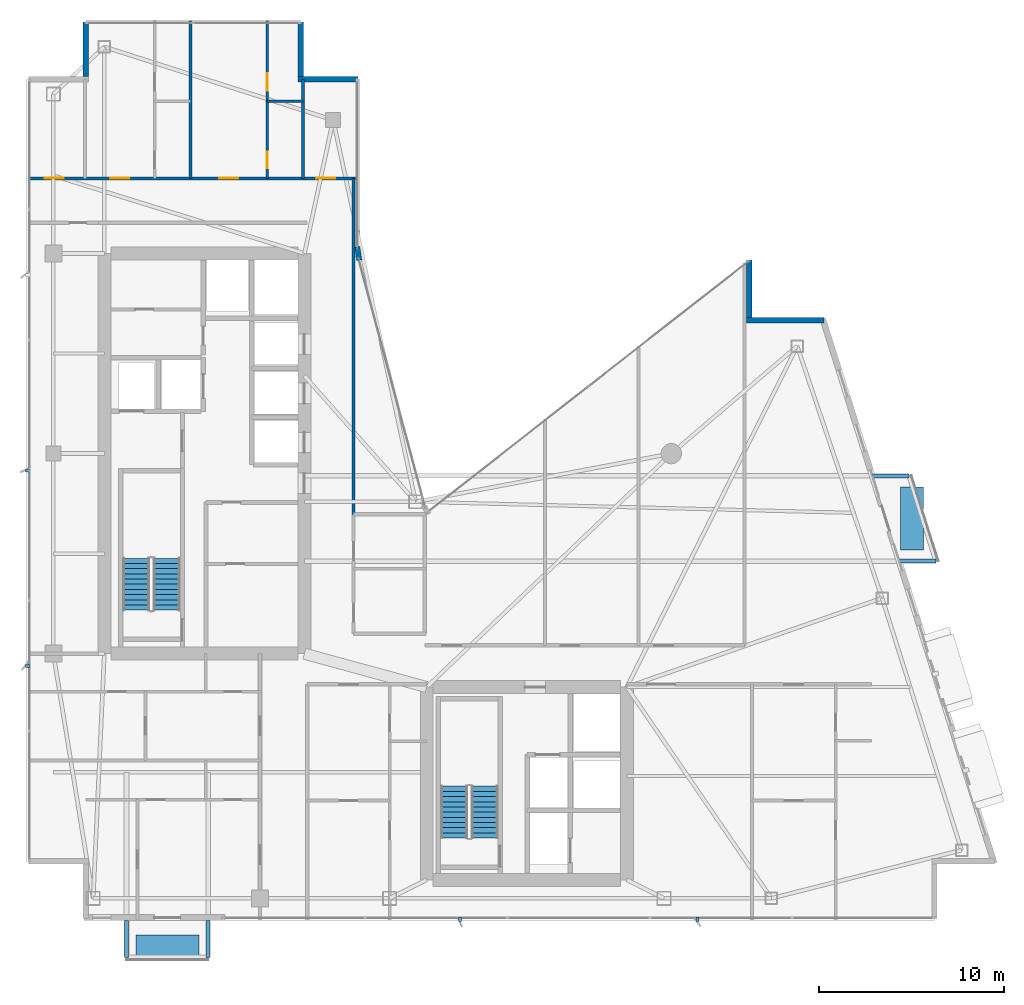
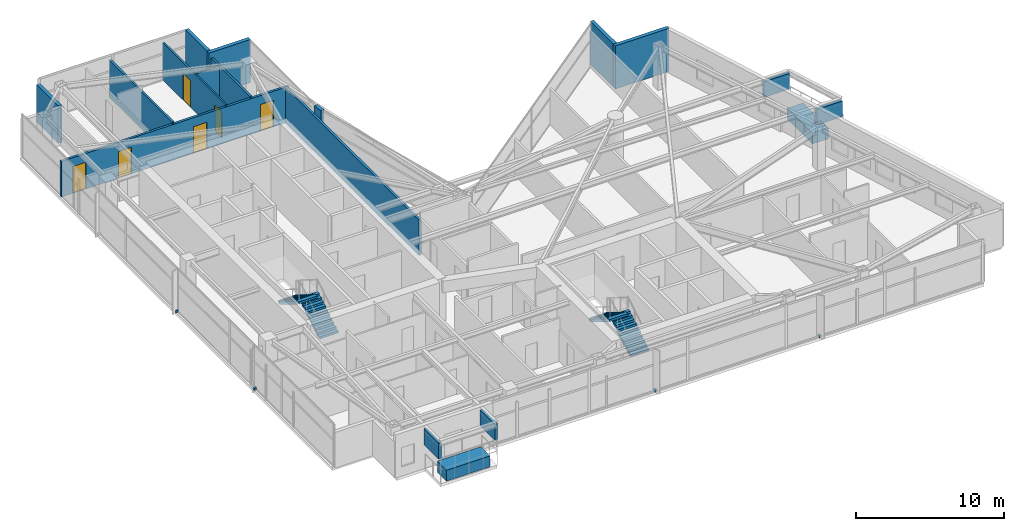
# One storey, part 27 of 30: 12 walls, 10 discrete accessories, 6 doors, 4 stair flights, 6 openings, 2 elements without a shape of their own.
"""IFC4 building model written with IfcOpenShell, lengths in metres."""

from ifc_helpers import new_model, si_unit, direction, frame, frame_2d, origin, origin_2d, place, context, subcontext, project, spatial, polyline, rectangle, outline, extrude, material, layer, layer_set, type_object, element, fill, aggregate, save


model = new_model("IFC4")

# Units and contexts
model_context = context("Model", 3, precision=1e-05, world=origin(), true_north=direction((0.0, 1.0)))
body_context = subcontext(model_context, "Body", "Model", "MODEL_VIEW")
ifc_project = project(units=[si_unit("LENGTHUNIT", "METRE"), si_unit("AREAUNIT", "SQUARE_METRE"), si_unit("VOLUMEUNIT", "CUBIC_METRE"), si_unit("PLANEANGLEUNIT", "RADIAN"), si_unit("MASSUNIT", "GRAM", prefix="KILO")], contexts=[model_context])

# Site, building, storey
site_placement = place(None, origin())
site = spatial("IfcSite", under=ifc_project, at=site_placement, CompositionType="ELEMENT")
building_placement = place(site_placement, origin())
building = spatial("IfcBuilding", under=site, at=building_placement, Name="Calvorn Quay Hotel", CompositionType="ELEMENT")
storey_placement = place(building_placement, frame((0.0, 0.0, 207.199951171875)))
storey = spatial("IfcBuildingStorey", under=building, at=storey_placement, Name="L51", CompositionType="ELEMENT", Elevation=207.199951171875)

# Wall, openings, doors
ifc_material_1 = material(Name="Acoustic Fireboard Steel-Stud Partition", Category="steel")
ifc_layer_1 = layer(ifc_material_1, 0.179931640625)
ifc_layer_set_1 = layer_set([ifc_layer_1], Name="WL-CORR-FIRE-180")
wall_type_1 = type_object("IfcWallType", Name="WL-CORR-FIRE-180", PredefinedType="PARTITIONING", material=ifc_layer_set_1)
wall_1_placement = place(storey_placement, frame((0.080078125, 42.449951171875, 0.0), z_axis=(0.0, 0.0, 1.0), x_axis=(1.0, 0.0, 0.0)))
wall_1 = element("IfcWall", 1, at=wall_1_placement, inside=storey, type_object=wall_type_1, Name="Partition Wall L51-WL-CORR-NW-N", PredefinedType="PARTITIONING", context=body_context, shape_type="SweptSolid", body=[
    extrude(rectangle(XDim=17.77001953125, YDim=0.179931640625, at=frame_2d((8.885009765625, 0.0))), origin(), (0.0, 0.0, 1.0), 2.93994140625),
])
opening_1_placement = place(wall_1_placement, frame((0.89990234375, 0.0, 0.0)))
opening_1 = element("IfcOpeningElement", 2, at=opening_1_placement, cuts=wall_1, Name="Opening D-L51-NWW", PredefinedType="OPENING", context=body_context, shape_type="SweptSolid", body=[
    extrude(rectangle(XDim=1.02001953125, YDim=2.199951171875, at=frame_2d((0.510009765625, 1.10009765625))), frame((0.0, 0.099853515625, 0.0), z_axis=(0.0, -1.0, 0.0), x_axis=(1.0, 0.0, 0.0)), (0.0, 0.0, 1.0), 0.199951171875),
])
opening_2_placement = place(wall_1_placement, frame((4.449951171875, 0.0, 0.0)))
opening_2 = element("IfcOpeningElement", 3, at=opening_2_placement, cuts=wall_1, Name="Opening D-L51-U04", PredefinedType="OPENING", context=body_context, shape_type="SweptSolid", body=[
    extrude(rectangle(XDim=1.02001953125, YDim=2.199951171875, at=frame_2d((0.510009765625, 1.10009765625))), frame((0.0, 0.099853515625, 0.0), z_axis=(0.0, -1.0, 0.0), x_axis=(1.0, 0.0, 0.0)), (0.0, 0.0, 1.0), 0.199951171875),
])
opening_3_placement = place(wall_1_placement, frame((10.330078125, 0.0, 0.0)))
opening_3 = element("IfcOpeningElement", 4, at=opening_3_placement, cuts=wall_1, Name="Opening D-L51-U05", PredefinedType="OPENING", context=body_context, shape_type="SweptSolid", body=[
    extrude(rectangle(XDim=1.02001953125, YDim=2.199951171875, at=frame_2d((0.510009765625, 1.10009765625))), frame((0.0, 0.099853515625, 0.0), z_axis=(0.0, -1.0, 0.0), x_axis=(1.0, 0.0, 0.0)), (0.0, 0.0, 1.0), 0.199951171875),
])
opening_4_placement = place(wall_1_placement, frame((15.550048828125, 0.0, 0.0)))
opening_4 = element("IfcOpeningElement", 5, at=opening_4_placement, cuts=wall_1, Name="Opening D-L51-NWE", PredefinedType="OPENING", context=body_context, shape_type="SweptSolid", body=[
    extrude(rectangle(XDim=1.02001953125, YDim=2.199951171875, at=frame_2d((0.510009765625, 1.10009765625))), frame((0.0, 0.099853515625, 0.0), z_axis=(0.0, -1.0, 0.0), x_axis=(1.0, 0.0, 0.0)), (0.0, 0.0, 1.0), 0.199951171875),
])
ifc_material_2 = material(Name="Solid-Core Walnut Veneer Hotel Fire Door")
door_type_1 = type_object("IfcDoorType", Name="DR-GUEST-ENTRY-1020", OperationType="NOTDEFINED", PredefinedType="DOOR", material=ifc_material_2)
door_1_placement = place(opening_1_placement, origin())
door_1 = element("IfcDoor", 6, at=door_1_placement, inside=storey, type_object=door_type_1, Name="West Corner Study Door (L51)", OperationType="SINGLE_SWING_LEFT", OverallHeight=2.199951171875, OverallWidth=1.02001953125, PredefinedType="DOOR", context=body_context, shape_type="SweptSolid", body=[
    extrude(rectangle(XDim=1.02001953125, YDim=2.199951171875, at=frame_2d((0.510009765625, 1.10009765625))), frame((0.0, 0.02490234375, 0.0), z_axis=(0.0, -1.0, 0.0), x_axis=(1.0, 0.0, 0.0)), (0.0, 0.0, 1.0), 0.050048828125),
])
fill(opening_1, door_1)
door_2_placement = place(opening_2_placement, origin())
door_2 = element("IfcDoor", 7, at=door_2_placement, inside=storey, type_object=door_type_1, Name="North-West Unit Door U04 (L51)", OperationType="SINGLE_SWING_RIGHT", OverallHeight=2.199951171875, OverallWidth=1.02001953125, PredefinedType="DOOR", context=body_context, shape_type="SweptSolid", body=[
    extrude(rectangle(XDim=1.02001953125, YDim=2.199951171875, at=frame_2d((0.510009765625, 1.10009765625))), frame((0.0, 0.02490234375, 0.0), z_axis=(0.0, -1.0, 0.0), x_axis=(1.0, 0.0, 0.0)), (0.0, 0.0, 1.0), 0.050048828125),
])
fill(opening_2, door_2)
door_3_placement = place(opening_3_placement, origin())
door_3 = element("IfcDoor", 8, at=door_3_placement, inside=storey, type_object=door_type_1, Name="North-West Unit Door U05 (L51)", OperationType="SINGLE_SWING_LEFT", OverallHeight=2.199951171875, OverallWidth=1.02001953125, PredefinedType="DOOR", context=body_context, shape_type="SweptSolid", body=[
    extrude(rectangle(XDim=1.02001953125, YDim=2.199951171875, at=frame_2d((0.510009765625, 1.10009765625))), frame((0.0, 0.02490234375, 0.0), z_axis=(0.0, -1.0, 0.0), x_axis=(1.0, 0.0, 0.0)), (0.0, 0.0, 1.0), 0.050048828125),
])
fill(opening_3, door_3)
door_4_placement = place(opening_4_placement, origin())
door_4 = element("IfcDoor", 9, at=door_4_placement, inside=storey, type_object=door_type_1, Name="Inner Court Study Door (L51)", OperationType="SINGLE_SWING_RIGHT", OverallHeight=2.199951171875, OverallWidth=1.02001953125, PredefinedType="DOOR", context=body_context, shape_type="SweptSolid", body=[
    extrude(rectangle(XDim=1.02001953125, YDim=2.199951171875, at=frame_2d((0.510009765625, 1.10009765625))), frame((0.0, 0.02490234375, 0.0), z_axis=(0.0, -1.0, 0.0), x_axis=(1.0, 0.0, 0.0)), (0.0, 0.0, 1.0), 0.050048828125),
])
fill(opening_4, door_4)

# Walls
wall_2_placement = place(storey_placement, frame((17.64990234375, 24.300048828125, 0.0), z_axis=(0.0, 0.0, 1.0), x_axis=(0.0, 1.0, 0.0)))
element("IfcWall", 10, at=wall_2_placement, inside=storey, type_object=wall_type_1, Name="Partition Wall L51-WL-NW-CLOSURE-E", PredefinedType="PARTITIONING", context=body_context, shape_type="SweptSolid", body=[
    extrude(rectangle(XDim=18.14990234375, YDim=0.179931640625, at=frame_2d((9.074951171875, 0.0))), origin(), (0.0, 0.0, 1.0), 2.93994140625),
])
ifc_material_3 = material(Name="Moisture-Resistant Tile-Backed Partition")
ifc_layer_2 = layer(ifc_material_3, 0.125)
ifc_layer_set_2 = layer_set([ifc_layer_2], Name="WL-ENSUITE-125")
wall_type_2 = type_object("IfcWallType", Name="WL-ENSUITE-125", PredefinedType="PARTITIONING", material=ifc_layer_set_2)
wall_3_placement = place(storey_placement, frame((12.989990234375, 46.6201171875, 0.0), z_axis=(0.0, 0.0, 1.0), x_axis=(1.0, 0.0, 0.0)))
element("IfcWall", 11, at=wall_3_placement, inside=storey, type_object=wall_type_2, Name="Partition Wall L51-WL-U05-BDV", PredefinedType="PARTITIONING", context=body_context, shape_type="SweptSolid", body=[
    extrude(rectangle(XDim=1.929931640625, YDim=0.125, at=frame_2d((0.96484375, 0.0))), origin(), (0.0, 0.0, 1.0), 3.090087890625),
])

# Wall, openings, doors
wall_4_placement = place(storey_placement, frame((12.989990234375, 42.449951171875, 0.0), z_axis=(0.0, 0.0, 1.0), x_axis=(0.0, 1.0, 0.0)))
wall_4 = element("IfcWall", 12, at=wall_4_placement, inside=storey, type_object=wall_type_2, Name="Partition Wall L51-WL-U05-BV", PredefinedType="PARTITIONING", context=body_context, shape_type="SweptSolid", body=[
    extrude(rectangle(XDim=8.489990234375, YDim=0.125, at=frame_2d((4.2451171875, 0.0))), origin(), (0.0, 0.0, 1.0), 3.090087890625),
])
opening_5_placement = place(wall_4_placement, frame((0.550048828125, 0.0, 0.0)))
opening_5 = element("IfcOpeningElement", 13, at=opening_5_placement, cuts=wall_4, Name="Opening D-L51-E05", PredefinedType="OPENING", context=body_context, shape_type="SweptSolid", body=[
    extrude(rectangle(XDim=0.89990234375, YDim=2.14990234375, at=frame_2d((0.449951171875, 1.074951171875))), frame((0.0, 0.072509765625, 0.0), z_axis=(0.0, -1.0, 0.0), x_axis=(1.0, 0.0, 0.0)), (0.0, 0.0, 1.0), 0.14501953125),
])
opening_6_placement = place(wall_4_placement, frame((4.719970703125, 0.0, 0.0)))
opening_6 = element("IfcOpeningElement", 14, at=opening_6_placement, cuts=wall_4, Name="Opening D-L51-S05", PredefinedType="OPENING", context=body_context, shape_type="SweptSolid", body=[
    extrude(rectangle(XDim=0.9599609375, YDim=2.199951171875, at=frame_2d((0.47998046875, 1.10009765625))), frame((0.0, 0.072509765625, 0.0), z_axis=(0.0, -1.0, 0.0), x_axis=(1.0, 0.0, 0.0)), (0.0, 0.0, 1.0), 0.14501953125),
])
ifc_material_4 = material(Name="Moisture-Sealed Timber En-Suite Door", Category="wood")
door_type_2 = type_object("IfcDoorType", Name="DR-ENSUITE-900", OperationType="NOTDEFINED", PredefinedType="DOOR", material=ifc_material_4)
door_5_placement = place(opening_5_placement, origin())
door_5 = element("IfcDoor", 15, at=door_5_placement, inside=storey, type_object=door_type_2, Name="En-Suite Door 05", OperationType="SINGLE_SWING_LEFT", OverallHeight=2.14990234375, OverallWidth=0.89990234375, PredefinedType="DOOR", context=body_context, shape_type="SweptSolid", body=[
    extrude(rectangle(XDim=0.89990234375, YDim=2.14990234375, at=frame_2d((0.449951171875, 1.074951171875))), frame((0.0, 0.02490234375, 0.0), z_axis=(0.0, -1.0, 0.0), x_axis=(1.0, 0.0, 0.0)), (0.0, 0.0, 1.0), 0.050048828125),
])
fill(opening_5, door_5)
ifc_material_5 = material(Name="Solid Timber Internal Suite Door", Category="wood")
door_type_3 = type_object("IfcDoorType", Name="DR-SUITE-INT-960", OperationType="NOTDEFINED", PredefinedType="DOOR", material=ifc_material_5)
door_6_placement = place(opening_6_placement, origin())
door_6 = element("IfcDoor", 16, at=door_6_placement, inside=storey, type_object=door_type_3, Name="Harbour Tea Room Door 05", OperationType="SINGLE_SWING_RIGHT", OverallHeight=2.199951171875, OverallWidth=0.9599609375, PredefinedType="DOOR", context=body_context, shape_type="SweptSolid", body=[
    extrude(rectangle(XDim=0.9599609375, YDim=2.199951171875, at=frame_2d((0.47998046875, 1.10009765625))), frame((0.0, 0.02490234375, 0.0), z_axis=(0.0, -1.0, 0.0), x_axis=(1.0, 0.0, 0.0)), (0.0, 0.0, 1.0), 0.050048828125),
])
fill(opening_6, door_6)

# Walls
ifc_material_6 = material(Name="Concrete C40", Category="concrete")
ifc_layer_3 = layer(ifc_material_6, 0.320068359375)
ifc_layer_set_3 = layer_set([ifc_layer_3], Name="WL-EXT-SPANDREL-320")
wall_type_3 = type_object("IfcWallType", Name="WL-EXT-SPANDREL-320", PredefinedType="SOLIDWALL", material=ifc_layer_set_3)
wall_5_placement = place(storey_placement, frame((17.9619140625, 38.030029296875, 0.0), z_axis=(0.0, 0.0, 1.0), x_axis=(-0.15141125477, 0.988470855377, 0.0)))
element("IfcWall", 17, at=wall_5_placement, inside=storey, type_object=wall_type_3, Name="Inner Court Corner Pier L51-ICJ2", PredefinedType="SOLIDWALL", context=body_context, shape_type="SweptSolid", body=[
    extrude(rectangle(XDim=0.738525390625, YDim=0.280029296875, at=frame_2d((0.369140625, 0.0))), origin(), (0.0, 0.0, 1.0), 3.56005859375),
])
wall_6_placement = place(storey_placement, frame((43.0400390625, 34.800048828125, 0.0), z_axis=(0.0, 0.0, 1.0), x_axis=(-1.0, 0.0, 0.0)))
element("IfcWall", 18, at=wall_6_placement, inside=storey, type_object=wall_type_3, Name="Notched Corner Spandrel L51-NE1", PredefinedType="SOLIDWALL", context=body_context, shape_type="SweptSolid", body=[
    extrude(rectangle(XDim=4.179931640625, YDim=0.280029296875, at=frame_2d((2.08984375, 0.0))), origin(), (0.0, 0.0, 1.0), 3.56005859375),
])
wall_7_placement = place(storey_placement, frame((39.0, 34.93994140625, 0.0), z_axis=(0.0, 0.0, 1.0), x_axis=(0.0, 1.0, 0.0)))
element("IfcWall", 19, at=wall_7_placement, inside=storey, type_object=wall_type_3, Name="Notched Corner Spandrel L51-NE2", PredefinedType="SOLIDWALL", context=body_context, shape_type="SweptSolid", body=[
    extrude(rectangle(XDim=3.10009765625, YDim=0.280029296875, at=frame_2d((1.550048828125, 0.0))), origin(), (0.0, 0.0, 1.0), 3.56005859375),
])
wall_8_placement = place(storey_placement, frame((17.89990234375, 47.800048828125, 0.0), z_axis=(0.0, 0.0, 1.0), x_axis=(-1.0, 0.0, 0.0)))
element("IfcWall", 20, at=wall_8_placement, inside=storey, type_object=wall_type_3, Name="Notched Corner Spandrel L51-NWE1", PredefinedType="SOLIDWALL", context=body_context, shape_type="SweptSolid", body=[
    extrude(rectangle(XDim=3.239990234375, YDim=0.280029296875, at=frame_2d((1.6201171875, 0.0))), origin(), (0.0, 0.0, 1.0), 3.56005859375),
])
wall_9_placement = place(storey_placement, frame((14.800048828125, 47.93994140625, 0.0), z_axis=(0.0, 0.0, 1.0), x_axis=(0.0, 1.0, 0.0)))
element("IfcWall", 21, at=wall_9_placement, inside=storey, type_object=wall_type_3, Name="Notched Corner Spandrel L51-NWE2", PredefinedType="SOLIDWALL", context=body_context, shape_type="SweptSolid", body=[
    extrude(rectangle(XDim=2.93994140625, YDim=0.280029296875, at=frame_2d((1.469970703125, 0.0))), origin(), (0.0, 0.0, 1.0), 3.56005859375),
])
wall_10_placement = place(storey_placement, frame((3.199951171875, 50.8798828125, 0.0), z_axis=(0.0, 0.0, 1.0), x_axis=(0.0, -1.0, 0.0)))
element("IfcWall", 22, at=wall_10_placement, inside=storey, type_object=wall_type_3, Name="Notched Corner Spandrel L51-NW1", PredefinedType="SOLIDWALL", context=body_context, shape_type="SweptSolid", body=[
    extrude(rectangle(XDim=2.93994140625, YDim=0.280029296875, at=frame_2d((1.469970703125, 0.0))), origin(), (0.0, 0.0, 1.0), 3.090087890625),
])
ifc_material_7 = material(Name="Double-Stud Acoustic Gypsum Partition")
ifc_layer_4 = layer(ifc_material_7, 0.159912109375)
ifc_layer_set_4 = layer_set([ifc_layer_4], Name="WL-INTERSUITE-160")
wall_type_4 = type_object("IfcWallType", Name="WL-INTERSUITE-160", PredefinedType="PARTITIONING", material=ifc_layer_set_4)
wall_11_placement = place(storey_placement, frame((14.919921875, 42.449951171875, 0.0), z_axis=(0.0, 0.0, 1.0), x_axis=(0.0, 1.0, 0.0)))
element("IfcWall", 23, at=wall_11_placement, inside=storey, type_object=wall_type_4, Name="Partition Wall L51-WL-NW-DIV-E0", PredefinedType="PARTITIONING", context=body_context, shape_type="SweptSolid", body=[
    extrude(rectangle(XDim=5.35009765625, YDim=0.159912109375, at=frame_2d((2.675048828125, 0.0))), origin(), (0.0, 0.0, 1.0), 3.090087890625),
])
wall_12_placement = place(storey_placement, frame((8.85009765625, 42.449951171875, 0.0), z_axis=(0.0, 0.0, 1.0), x_axis=(0.0, 1.0, 0.0)))
element("IfcWall", 24, at=wall_12_placement, inside=storey, type_object=wall_type_4, Name="Partition Wall L51-WL-NW-DIV-1", PredefinedType="PARTITIONING", context=body_context, shape_type="SweptSolid", body=[
    extrude(rectangle(XDim=8.489990234375, YDim=0.159912109375, at=frame_2d((4.2451171875, 0.0))), origin(), (0.0, 0.0, 1.0), 3.090087890625),
])

# Stair, stair flights
ifc_material_8 = material(Name="Concrete C40", Category="concrete")
stair_type = type_object("IfcStairType", Name="STR-CORE-DOGLEG", PredefinedType="HALF_TURN_STAIR", material=ifc_material_8)
stair_1_placement = place(storey_placement, origin())
stair_1 = element("IfcStair", 25, at=stair_1_placement, inside=storey, type_object=stair_type, Name="L51 ST-W", PredefinedType="HALF_TURN_STAIR")
ifc_material_9 = material(Name="Concrete C40", Category="concrete")
stair_flight_type = type_object("IfcStairFlightType", Name="FLT-CORE-1550", PredefinedType="STRAIGHT", material=ifc_material_9)
stair_flight_1_placement = place(storey_placement, frame((7.574951171875, 19.14990234375, 0.0), z_axis=(0.0, 0.0, 1.0), x_axis=(0.0, 1.0, 0.0)))
stair_flight_1 = element("IfcStairFlight", 26, at=stair_flight_1_placement, type_object=stair_flight_type, Name="ST-W flight 1", NumberOfRisers=11, NumberOfTreads=10, PredefinedType="STRAIGHT", RiserHeight=0.172727273, TreadLength=0.28, context=body_context, shape_type="SweptSolid", body=[
    extrude(outline(polyline([(0.0, 0.0), (0.0, 0.172607421875), (0.280029296875, 0.172607421875), (0.280029296875, 0.345458984375), (0.56005859375, 0.345458984375), (0.56005859375, 0.51806640625), (0.840087890625, 0.51806640625), (0.840087890625, 0.69091796875), (1.1201171875, 0.69091796875), (1.1201171875, 0.863525390625), (1.39990234375, 0.863525390625), (1.39990234375, 1.036376953125), (1.679931640625, 1.036376953125), (1.679931640625, 1.208984375), (1.9599609375, 1.208984375), (1.9599609375, 1.3818359375), (2.239990234375, 1.3818359375), (2.239990234375, 1.554443359375), (2.52001953125, 1.554443359375), (2.52001953125, 1.727294921875), (2.800048828125, 1.727294921875), (2.800048828125, 1.89990234375), (2.800048828125, 1.551025390625), (0.285400390625, 0.0), (0.0, 0.0)])), frame((0.0, 0.72509765625, 0.0), z_axis=(0.0, -1.0, 0.0), x_axis=(1.0, 0.0, 0.0)), (0.0, 0.0, 1.0), 1.449951171875),
])
stair_flight_2_placement = place(storey_placement, frame((5.925048828125, 21.949951171875, 1.900146484375), z_axis=(0.0, 0.0, 1.0), x_axis=(0.0, -1.0, 0.0)))
stair_flight_2 = element("IfcStairFlight", 27, at=stair_flight_2_placement, type_object=stair_flight_type, Name="ST-W flight 2", NumberOfRisers=11, NumberOfTreads=10, PredefinedType="STRAIGHT", RiserHeight=0.172727273, TreadLength=0.28, context=body_context, shape_type="SweptSolid", body=[
    extrude(outline(polyline([(0.0, 0.0), (0.0, 0.172607421875), (0.280029296875, 0.172607421875), (0.280029296875, 0.345458984375), (0.56005859375, 0.345458984375), (0.56005859375, 0.51806640625), (0.840087890625, 0.51806640625), (0.840087890625, 0.69091796875), (1.1201171875, 0.69091796875), (1.1201171875, 0.863525390625), (1.39990234375, 0.863525390625), (1.39990234375, 1.036376953125), (1.679931640625, 1.036376953125), (1.679931640625, 1.208984375), (1.9599609375, 1.208984375), (1.9599609375, 1.3818359375), (2.239990234375, 1.3818359375), (2.239990234375, 1.554443359375), (2.52001953125, 1.554443359375), (2.52001953125, 1.727294921875), (2.800048828125, 1.727294921875), (2.800048828125, 1.89990234375), (2.800048828125, 1.551025390625), (0.285400390625, 0.0), (0.0, 0.0)])), frame((0.0, 0.72509765625, 0.0), z_axis=(0.0, -1.0, 0.0), x_axis=(1.0, 0.0, 0.0)), (0.0, 0.0, 1.0), 1.449951171875),
])
aggregate(stair_1, [stair_flight_1, stair_flight_2])

stair_2_placement = place(storey_placement, origin())
stair_2 = element("IfcStair", 28, at=stair_2_placement, inside=storey, type_object=stair_type, Name="L51 ST-E", PredefinedType="HALF_TURN_STAIR")
stair_flight_3_placement = place(storey_placement, frame((24.72509765625, 6.85009765625, 0.0), z_axis=(0.0, 0.0, 1.0), x_axis=(0.0, 1.0, 0.0)))
stair_flight_3 = element("IfcStairFlight", 29, at=stair_flight_3_placement, type_object=stair_flight_type, Name="ST-E flight 1", NumberOfRisers=11, NumberOfTreads=10, PredefinedType="STRAIGHT", RiserHeight=0.172727273, TreadLength=0.28, context=body_context, shape_type="SweptSolid", body=[
    extrude(outline(polyline([(0.0, 0.0), (0.0, 0.172607421875), (0.280029296875, 0.172607421875), (0.280029296875, 0.345458984375), (0.56005859375, 0.345458984375), (0.56005859375, 0.51806640625), (0.840087890625, 0.51806640625), (0.840087890625, 0.69091796875), (1.1201171875, 0.69091796875), (1.1201171875, 0.863525390625), (1.39990234375, 0.863525390625), (1.39990234375, 1.036376953125), (1.679931640625, 1.036376953125), (1.679931640625, 1.208984375), (1.9599609375, 1.208984375), (1.9599609375, 1.3818359375), (2.239990234375, 1.3818359375), (2.239990234375, 1.554443359375), (2.52001953125, 1.554443359375), (2.52001953125, 1.727294921875), (2.800048828125, 1.727294921875), (2.800048828125, 1.89990234375), (2.800048828125, 1.551025390625), (0.285400390625, 0.0), (0.0, 0.0)])), frame((0.0, 0.72509765625, 0.0), z_axis=(0.0, -1.0, 0.0), x_axis=(1.0, 0.0, 0.0)), (0.0, 0.0, 1.0), 1.449951171875),
])
stair_flight_4_placement = place(storey_placement, frame((23.074951171875, 9.64990234375, 1.900146484375), z_axis=(0.0, 0.0, 1.0), x_axis=(0.0, -1.0, 0.0)))
stair_flight_4 = element("IfcStairFlight", 30, at=stair_flight_4_placement, type_object=stair_flight_type, Name="ST-E flight 2", NumberOfRisers=11, NumberOfTreads=10, PredefinedType="STRAIGHT", RiserHeight=0.172727273, TreadLength=0.28, context=body_context, shape_type="SweptSolid", body=[
    extrude(outline(polyline([(0.0, 0.0), (0.0, 0.172607421875), (0.280029296875, 0.172607421875), (0.280029296875, 0.345458984375), (0.56005859375, 0.345458984375), (0.56005859375, 0.51806640625), (0.840087890625, 0.51806640625), (0.840087890625, 0.69091796875), (1.1201171875, 0.69091796875), (1.1201171875, 0.863525390625), (1.39990234375, 0.863525390625), (1.39990234375, 1.036376953125), (1.679931640625, 1.036376953125), (1.679931640625, 1.208984375), (1.9599609375, 1.208984375), (1.9599609375, 1.3818359375), (2.239990234375, 1.3818359375), (2.239990234375, 1.554443359375), (2.52001953125, 1.554443359375), (2.52001953125, 1.727294921875), (2.800048828125, 1.727294921875), (2.800048828125, 1.89990234375), (2.800048828125, 1.551025390625), (0.285400390625, 0.0), (0.0, 0.0)])), frame((0.0, 0.72509765625, 0.0), z_axis=(0.0, -1.0, 0.0), x_axis=(1.0, 0.0, 0.0)), (0.0, 0.0, 1.0), 1.449951171875),
])
aggregate(stair_2, [stair_flight_3, stair_flight_4])

# Discrete accessories
ifc_material_10 = material(Name="Steel Q355B", Category="steel")
discrete_accessory_type_1 = type_object("IfcDiscreteAccessoryType", Name="ACC-BALC-STRUT", PredefinedType="BRACKET", material=ifc_material_10)
for number, where, z_axis, x_axis, name in (
    (31, (48.091064453125, 21.800048828125, 2.01513671875), (0.0, 0.0, 1.0), (1.0, 0.0, 0.0), "Exterior Balcony Steel Bracket L52-BALC-E-A"),
    (32, (46.64208984375, 26.39990234375, 2.01513671875), (0.0, 0.0, 1.0), (1.0, 0.0, 0.0), "Exterior Balcony Steel Bracket L52-BALC-E-B"),
):
    element("IfcDiscreteAccessory", number, at=place(storey_placement, frame(where, z_axis=z_axis, x_axis=x_axis)), inside=storey, type_object=discrete_accessory_type_1, Name=name, PredefinedType="BRACKET", context=body_context, shape_type="SweptSolid", body=[
        extrude(rectangle(XDim=1.989990234375, YDim=0.219970703125, at=origin_2d()), origin(), (0.0, 0.0, 1.0), 1.300048828125),
    ])
for number, where, z_axis, x_axis, name in (
    (33, (5.39990234375, 1.405029296875, 2.01513671875), (0.0, 0.0, 1.0), (1.0, 0.0, 0.0), "Exterior Balcony Steel Bracket L52-BALC-S-A"),
    (34, (9.800048828125, 1.405029296875, 2.01513671875), (0.0, 0.0, 1.0), (1.0, 0.0, 0.0), "Exterior Balcony Steel Bracket L52-BALC-S-B"),
):
    element("IfcDiscreteAccessory", number, at=place(storey_placement, frame(where, z_axis=z_axis, x_axis=x_axis)), inside=storey, type_object=discrete_accessory_type_1, Name=name, PredefinedType="BRACKET", context=body_context, shape_type="SweptSolid", body=[
        extrude(rectangle(XDim=0.219970703125, YDim=1.989990234375, at=origin_2d()), origin(), (0.0, 0.0, 1.0), 1.300048828125),
    ])
ifc_material_11 = material(Name="Steel Q355B", Category="steel")
discrete_accessory_type_2 = type_object("IfcDiscreteAccessoryType", Name="ACC-FIN-BRACKET", PredefinedType="BRACKET", material=ifc_material_11)
for number, where, z_axis, x_axis, name in (
    (35, (0.06005859375, 16.14990234375, 0.0302734375), (0.0, 0.0, 1.0), (1.0, 0.0, 0.0), "Fin Anchor Bracket L51-W01"),
    (36, (0.06005859375, 26.699951171875, 0.0302734375), (0.0, 0.0, 1.0), (1.0, 0.0, 0.0), "Fin Anchor Bracket L51-W02"),
    (37, (23.39990234375, 2.4599609375, 0.0302734375), (0.0, 0.0, 1.0), (0.0, 1.0, 0.0), "Fin Anchor Bracket L51-S01"),
    (38, (36.199951171875, 2.4599609375, 0.0302734375), (0.0, 0.0, 1.0), (0.0, 1.0, 0.0), "Fin Anchor Bracket L51-S02"),
):
    element("IfcDiscreteAccessory", number, at=place(storey_placement, frame(where, z_axis=z_axis, x_axis=x_axis)), inside=storey, type_object=discrete_accessory_type_2, Name=name, PredefinedType="BRACKET", context=body_context, shape_type="SweptSolid", body=[
        extrude(rectangle(XDim=0.239990234375, YDim=0.159912109375, at=origin_2d()), origin(), (0.0, 0.0, 1.0), 0.179931640625),
    ])
ifc_material_12 = material(Name="Precast concrete C40", Category="concrete")
discrete_accessory_type_3 = type_object("IfcDiscreteAccessoryType", Name="ACC-TREE-PLANTER", PredefinedType="USERDEFINED", material=ifc_material_12)
discrete_accessory_1_placement = place(storey_placement, frame((47.781982421875, 24.10009765625, 0.0), z_axis=(0.0, 0.0, 1.0), x_axis=(1.0, 0.0, 0.0)))
element("IfcDiscreteAccessory", 39, at=discrete_accessory_1_placement, inside=storey, type_object=discrete_accessory_type_3, Name="Subtropical Tree Structural Planter L51-BALC-E", ObjectType="PLANTER", PredefinedType="USERDEFINED", context=body_context, shape_type="SweptSolid", body=[
    extrude(rectangle(XDim=1.25, YDim=3.39990234375, at=origin_2d()), origin(), (0.0, 0.0, 1.0), 0.89990234375),
])
discrete_accessory_2_placement = place(storey_placement, frame((7.60009765625, 0.989990234375, 0.0), z_axis=(0.0, 0.0, 1.0), x_axis=(1.0, 0.0, 0.0)))
element("IfcDiscreteAccessory", 40, at=discrete_accessory_2_placement, inside=storey, type_object=discrete_accessory_type_3, Name="Subtropical Tree Structural Planter L51-BALC-S", ObjectType="PLANTER", PredefinedType="USERDEFINED", context=body_context, shape_type="SweptSolid", body=[
    extrude(rectangle(XDim=3.39990234375, YDim=1.25, at=origin_2d()), origin(), (0.0, 0.0, 1.0), 0.89990234375),
])

save(model, "model.ifc")
